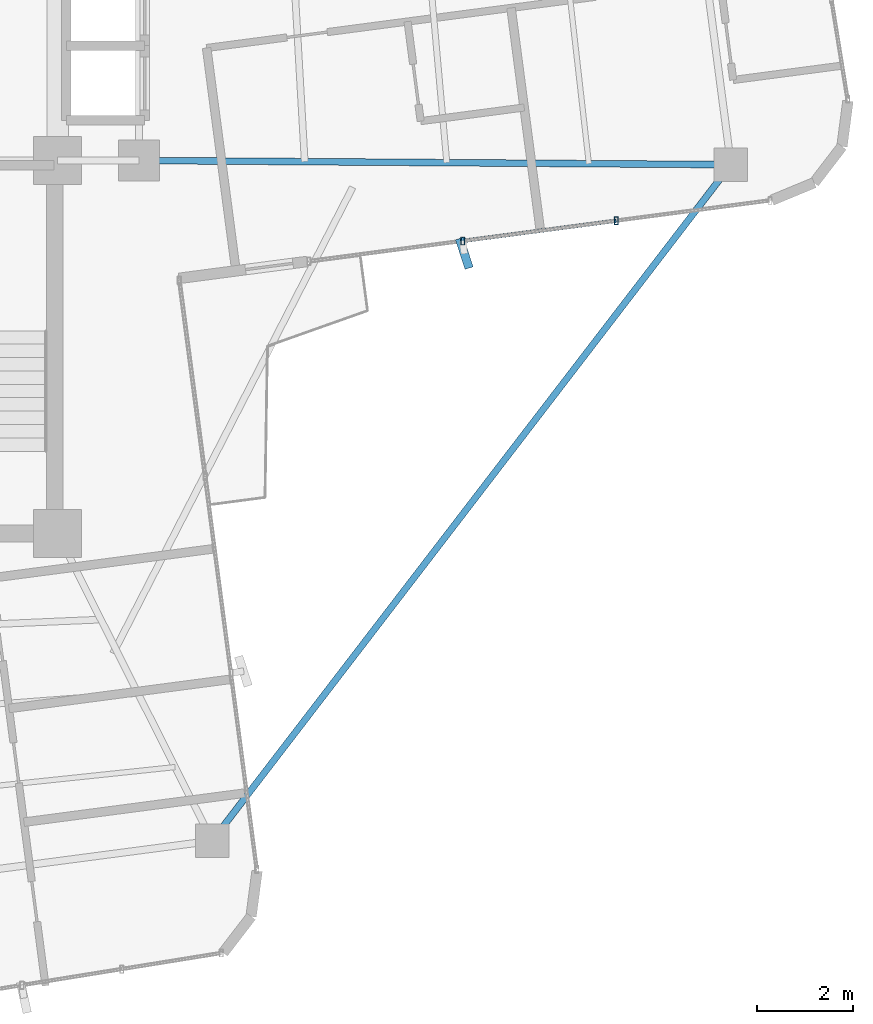
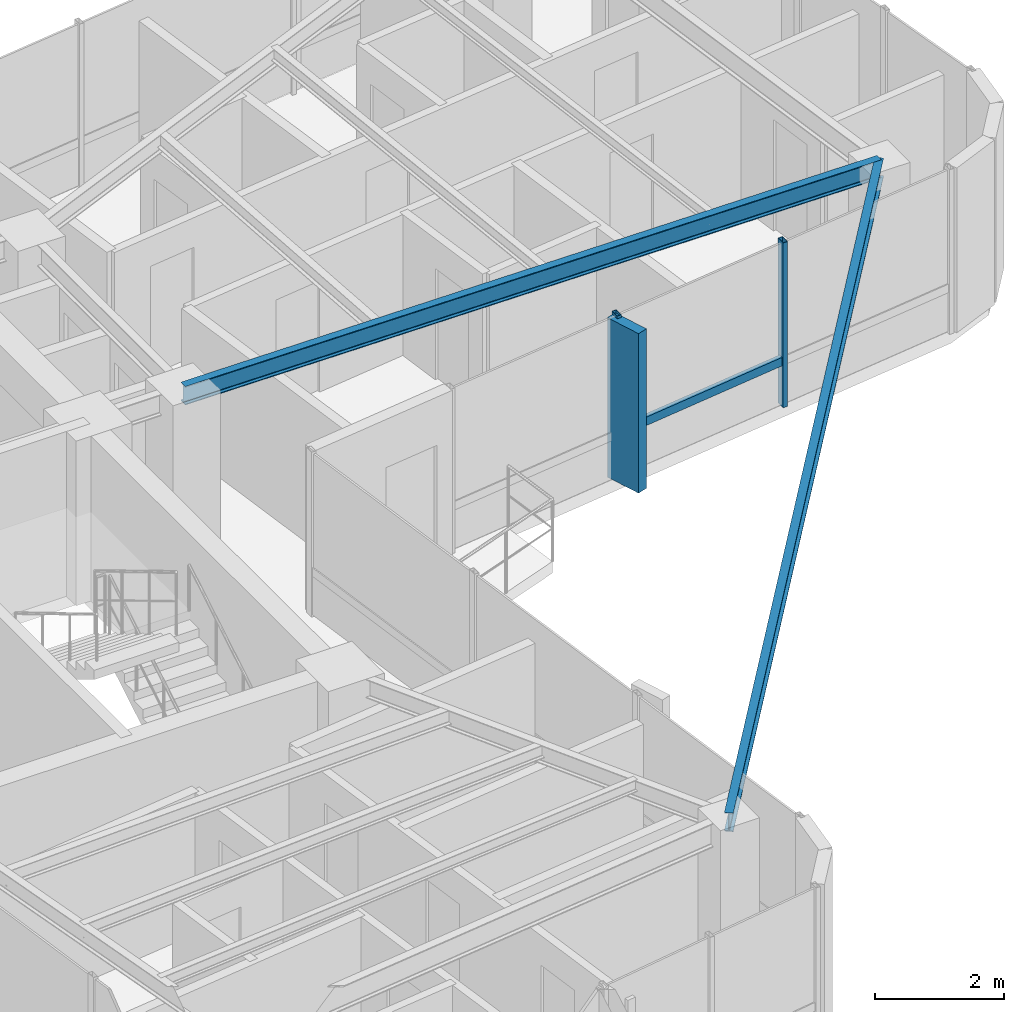
# One storey, part 11 of 22: 4 members, 2 beams, 1 element without a shape of its own.
"""IFC4 building model written with IfcOpenShell, lengths in metres."""

from ifc_helpers import new_model, si_unit, direction, frame, origin, origin_2d, place, context, subcontext, project, spatial, rectangle, hollow_rectangle, i_section, extrude, source, transform, mapped, material, material_profile, profile_set, type_object, element, aggregate, save


model = new_model("IFC4")

# Units and contexts
model_context = context("Model", 3, precision=1e-05, world=origin(), true_north=direction((0.0, 1.0)))
body_context = subcontext(model_context, "Body", "Model", "MODEL_VIEW")
ifc_project = project(units=[si_unit("LENGTHUNIT", "METRE"), si_unit("AREAUNIT", "SQUARE_METRE"), si_unit("VOLUMEUNIT", "CUBIC_METRE"), si_unit("PLANEANGLEUNIT", "RADIAN"), si_unit("MASSUNIT", "GRAM", prefix="KILO")], contexts=[model_context])

# Site, building, storey
site_placement = place(None, origin())
site = spatial("IfcSite", under=ifc_project, at=site_placement, CompositionType="ELEMENT")
building_placement = place(site_placement, origin())
building = spatial("IfcBuilding", under=site, at=building_placement, Name="Sahyath Konkavel Grand Hotel", CompositionType="ELEMENT")
storey_placement = place(building_placement, frame((0.0, 0.0, 206.5)))
storey = spatial("IfcBuildingStorey", under=building, at=storey_placement, Name="L57", CompositionType="ELEMENT", Elevation=206.5)

# Beams
ifc_material_1 = material(Name="Steel E350", Category="steel")
ifc_material_profile_1 = material_profile(ifc_material_1, i_section(OverallWidth=0.139892578125, OverallDepth=0.35009765625, WebThickness=0.008056640625, FlangeThickness=0.01416015625, FilletRadius=0.013916015625, at=origin_2d()), Name="ISMB 350")
ifc_profile_set_1 = profile_set([ifc_material_profile_1], Name="Steel E350")
beam_type = type_object("IfcBeamType", Name="BM-ISMB350", PredefinedType="BEAM", material=ifc_profile_set_1)
shared_shape_1 = source(origin(), body_context, "Body", "SweptSolid", [
    extrude(i_section(OverallWidth=0.139892578125, OverallDepth=0.35009765625, WebThickness=0.008056640625, FlangeThickness=0.01416015625, FilletRadius=0.013916015625, at=origin_2d()), origin(), (0.0, 0.0, 1.0), 12.3779296875),
])
beam_1_placement = place(storey_placement, frame((5.5, -2.39990234375, 2.93505859375), z_axis=(0.999974790757, -0.007100552766, 0.0), x_axis=(0.007100552766, 0.999974790757, 0.0)))
element("IfcBeam", 1, at=beam_1_placement, inside=storey, type_object=beam_type, Name="L57 Cruciform Radial Girder EA", PredefinedType="BEAM", context=body_context, shape_type="MappedRepresentation", body=[
    mapped(shared_shape_1, transform((0.0, 0.0, 0.0), scale=1.0)),
])
shared_shape_2 = source(origin(), body_context, "Body", "SweptSolid", [
    extrude(i_section(OverallWidth=0.139892578125, OverallDepth=0.35009765625, WebThickness=0.008056640625, FlangeThickness=0.01416015625, FilletRadius=0.013916015625, at=origin_2d()), origin(), (0.0, 0.0, 1.0), 17.819091796875),
])
beam_2_placement = place(storey_placement, frame((17.877685546875, -2.48779296875, 2.93505859375), z_axis=(-0.608767449027, -0.793348720932, 0.0), x_axis=(0.793348720932, -0.608767449027, 0.0)))
element("IfcBeam", 2, at=beam_2_placement, inside=storey, type_object=beam_type, Name="L57 Re-Entrant Tie Beam SE", PredefinedType="BEAM", context=body_context, shape_type="MappedRepresentation", body=[
    mapped(shared_shape_2, transform((0.0, 0.0, 0.0), scale=1.0)),
])

# Curtain wall, members
ifc_material_2 = material(Name="Anodised Bronze Aluminium & Low-E Glazing", Category="aluminium")
curtain_wall_type = type_object("IfcCurtainWallType", Name="CW-ZONE4", PredefinedType="NOTDEFINED", material=ifc_material_2)
curtain_wall_placement = place(storey_placement, origin())
curtain_wall = element("IfcCurtainWall", 3, at=curtain_wall_placement, inside=storey, type_object=curtain_wall_type, Name="L57 Unitised Curtain Wall F0", PredefinedType="NOTDEFINED")
ifc_material_3 = material(Name="Warm Buff Sandstone Cladding on Concrete C50/60", Category="masonry")
ifc_material_profile_2 = material_profile(ifc_material_3, rectangle(XDim=0.179931640625, YDim=0.64990234375, at=origin_2d()), Name="FIN 180x650")
ifc_profile_set_2 = profile_set([ifc_material_profile_2], Name="Warm Buff Sandstone Cladding on Concrete C50/60")
member_type_1 = type_object("IfcMemberType", Name="FIN-SANDSTONE-650", PredefinedType="MULLION", material=ifc_profile_set_2)
shared_shape_3 = source(origin(), body_context, "Body", "SweptSolid", [
    extrude(rectangle(XDim=0.179931640625, YDim=0.64990234375, at=origin_2d()), origin(), (0.0, 0.0, 1.0), 3.010009765625),
])
member_1_placement = place(storey_placement, frame((12.302001953125, -4.341552734375, 0.050048828125), z_axis=(0.0, 0.0, 1.0), x_axis=(0.951110435449, 0.308850998993, 0.0)))
member_1 = element("IfcMember", 4, at=member_1_placement, type_object=member_type_1, Name="L57 Sandstone Vertical Solar Fin FIN F0-1", PredefinedType="MULLION", context=body_context, shape_type="MappedRepresentation", body=[
    mapped(shared_shape_3, transform((0.0, 0.0, 0.0), scale=1.0)),
])
ifc_material_4 = material(Name="Anodised Bronze Aluminium", Category="aluminium")
ifc_material_profile_3 = material_profile(ifc_material_4, hollow_rectangle(XDim=0.080078125, YDim=0.159912109375, WallThickness=0.006103515625, at=origin_2d()), Name="RHS 160x80x6")
ifc_profile_set_3 = profile_set([ifc_material_profile_3], Name="Anodised Bronze Aluminium")
member_type_2 = type_object("IfcMemberType", Name="CW-MUL-160", PredefinedType="MULLION", material=ifc_profile_set_3)
shared_shape_4 = source(origin(), body_context, "Body", "SweptSolid", [
    extrude(hollow_rectangle(XDim=0.080078125, YDim=0.159912109375, WallThickness=0.006103515625, at=origin_2d()), origin(), (0.0, 0.0, 1.0), 3.110107421875),
])
member_2_placement = place(storey_placement, frame((12.26806640625, -4.083740234375, 0.0), z_axis=(0.0, 0.0, 1.0), x_axis=(1.0, 0.0, 0.0)))
member_2 = element("IfcMember", 5, at=member_2_placement, type_object=member_type_2, Name="L57 Curtain Wall Mullion F0-1", PredefinedType="MULLION", context=body_context, shape_type="MappedRepresentation", body=[
    mapped(shared_shape_4, transform((0.0, 0.0, 0.0), scale=1.0)),
])
member_3_placement = place(storey_placement, frame((15.480224609375, -3.66064453125, 0.0), z_axis=(0.0, 0.0, 1.0), x_axis=(1.0, 0.0, 0.0)))
member_3 = element("IfcMember", 6, at=member_3_placement, type_object=member_type_2, Name="L57 Curtain Wall Mullion F0-2", PredefinedType="MULLION", context=body_context, shape_type="MappedRepresentation", body=[
    mapped(shared_shape_4, transform((0.0, 0.0, 0.0), scale=1.0)),
])
ifc_material_profile_4 = material_profile(ifc_material_4, hollow_rectangle(XDim=0.080078125, YDim=0.159912109375, WallThickness=0.006103515625, at=origin_2d()), Name="RHS 160x80x6")
ifc_profile_set_4 = profile_set([ifc_material_profile_4], Name="Anodised Bronze Aluminium")
member_type_3 = type_object("IfcMemberType", Name="CW-TRN-160", PredefinedType="USERDEFINED", material=ifc_profile_set_4)
shared_shape_5 = source(origin(), body_context, "Body", "SweptSolid", [
    extrude(hollow_rectangle(XDim=0.080078125, YDim=0.159912109375, WallThickness=0.006103515625, at=origin_2d()), origin(), (0.0, 0.0, 1.0), 3.239990234375),
])
member_4_placement = place(storey_placement, frame((12.26806640625, -4.083740234375, 0.85009765625), z_axis=(0.991436589187, 0.130589010341, 0.0), x_axis=(-0.130589010341, 0.991436589187, 0.0)))
member_4 = element("IfcMember", 7, at=member_4_placement, type_object=member_type_3, Name="L57 Curtain Wall Transom F0-1-spandrel", ObjectType="TRANSOM", PredefinedType="USERDEFINED", context=body_context, shape_type="MappedRepresentation", body=[
    mapped(shared_shape_5, transform((0.0, 0.0, 0.0), scale=1.0)),
])
aggregate(curtain_wall, [member_2, member_1, member_3, member_4])

save(model, "model.ifc")
